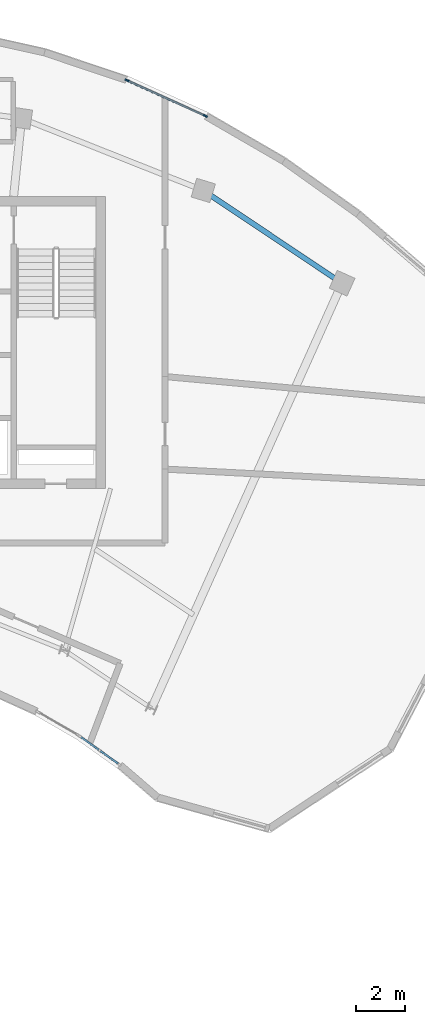
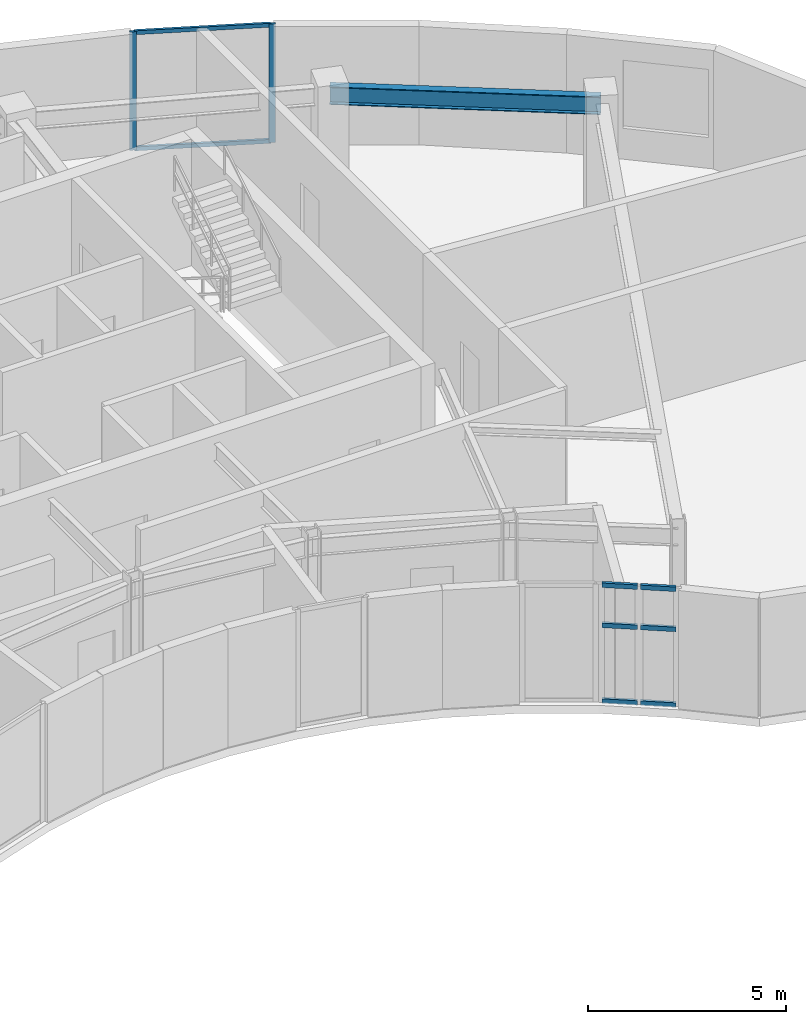
# One storey, part 5 of 12: 10 members, 1 beam, 2 elements without a shape of their own.
"""IFC4 building model written with IfcOpenShell, lengths in metres."""

import ifcopenshell
import ifcopenshell.guid

model = None  # the IFC model being written
_history = None  # IfcOwnerHistory: only IFC2X3 demands one
_inside = {}  # id of a spatial element -> (the spatial element, [elements in it])
_under = {}  # id of a project, library or spatial element -> (it, [spatial elements below it])
_declared = {}  # id of a project -> (the project, [libraries it declares])
_typed = {}  # id of a type object -> (the type object, [elements of that type])
_made_of = {}  # id of a material, layer set ... -> (it, [elements and type objects made of it])


def new_model(schema):
    """Start an empty IFC model of exactly this schema.

    Asked for "IFC4X3", IfcOpenShell would pick the latest addendum, in which some entities
    have other attributes; the version numbers below select the first issue.
    IFC2X3 requires an IfcOwnerHistory on every rooted entity: one is made here for all.
    """
    global model, _history
    if schema == "IFC4X3":
        model = ifcopenshell.file(schema_version=(4, 3, 0, 0))
    else:
        model = ifcopenshell.file(schema=schema)
    _inside.clear()
    _under.clear()
    _declared.clear()
    _typed.clear()
    _made_of.clear()
    _history = None
    if model.schema == "IFC2X3":
        org = make("IfcOrganization", Name="unknown")
        user = make(
            "IfcPersonAndOrganization",
            ThePerson=make("IfcPerson", FamilyName="unknown"),
            TheOrganization=org,
        )
        app = make(
            "IfcApplication",
            ApplicationDeveloper=org,
            Version="unknown",
            ApplicationFullName="unknown",
            ApplicationIdentifier="unknown",
        )
        _history = make(
            "IfcOwnerHistory",
            OwningUser=user,
            OwningApplication=app,
            ChangeAction="ADDED",
            CreationDate=0,
        )
    return model


def make(cls, **values):
    """One entity of the class cls with the attributes given. An attribute that is None is left unset."""
    return model.create_entity(
        cls, **{name: value for name, value in values.items() if value is not None}
    )


def rooted(cls, **values):
    """An entity with a GlobalId (a new one), such as an element, a storey or a relation."""
    return make(cls, GlobalId=ifcopenshell.guid.new(), OwnerHistory=_history, **values)


def si_unit(unit_type, name, prefix=None):
    """IfcSIUnit, for example si_unit("LENGTHUNIT", "METRE", prefix="MILLI")."""
    return make("IfcSIUnit", UnitType=unit_type, Prefix=prefix, Name=name)


def assignment(units):
    """IfcUnitAssignment: the units of a project."""
    return None if units is None else make("IfcUnitAssignment", Units=units)


def point(xyz):
    """IfcCartesianPoint."""
    return None if xyz is None else make("IfcCartesianPoint", Coordinates=xyz)


def direction(xyz):
    """IfcDirection."""
    return None if xyz is None else make("IfcDirection", DirectionRatios=xyz)


def frame(location, z_axis=None, x_axis=None):
    """IfcAxis2Placement3D, a coordinate frame: its origin and axes. An axis left out is left unset."""
    return make(
        "IfcAxis2Placement3D",
        Location=point(location),
        Axis=direction(z_axis),
        RefDirection=direction(x_axis),
    )


def frame_2d(location, x_axis=None):
    """IfcAxis2Placement2D, a coordinate frame in the plane: its origin and x axis."""
    return make(
        "IfcAxis2Placement2D", Location=point(location), RefDirection=direction(x_axis)
    )


def origin():
    """The frame at (0, 0, 0) with its axes left unset."""
    return frame((0.0, 0.0, 0.0))


def origin_2d():
    """The frame at (0, 0) in the plane with its x axis left unset."""
    return frame_2d((0.0, 0.0))


def place(relative_to, where):
    """IfcLocalPlacement: puts the frame where relative to a parent placement (None: the world)."""
    return make(
        "IfcLocalPlacement", PlacementRelTo=relative_to, RelativePlacement=where
    )


def context(
    kind, dimensions, precision=None, world=None, true_north=None, identifier=None
):
    """IfcGeometricRepresentationContext, for example the 3D "Model" context."""
    return make(
        "IfcGeometricRepresentationContext",
        ContextIdentifier=identifier,
        ContextType=kind,
        CoordinateSpaceDimension=dimensions,
        Precision=precision,
        WorldCoordinateSystem=world,
        TrueNorth=true_north,
    )


def subcontext(parent, identifier, kind, view, scale=None):
    """IfcGeometricRepresentationSubContext, for example "Body" below "Model"."""
    return make(
        "IfcGeometricRepresentationSubContext",
        ContextIdentifier=identifier,
        ContextType=kind,
        ParentContext=parent,
        TargetScale=scale,
        TargetView=view,
    )


def project(units=None, contexts=None):
    """IfcProject with its units and contexts."""
    return rooted(
        "IfcProject",
        Name="project",
        RepresentationContexts=contexts,
        UnitsInContext=assignment(units),
    )


def spatial(cls, under=None, at=None, **own):
    """A site, building, storey or space (cls), placed at a placement, below another one or the project."""
    s = rooted(cls, ObjectPlacement=at, **own)
    if under is not None:
        _under.setdefault(under.id(), (under, []))[1].append(s)
    return s


def profile(cls, at=None, kind="AREA", **sizes):
    """A parametric profile (cls). Its sizes go by their IFC names, for example OverallWidth=200.0."""
    return make(cls, ProfileType=kind, Position=at, **sizes)


def rectangle(**sizes):
    """IfcRectangleProfileDef."""
    return profile("IfcRectangleProfileDef", **sizes)


def i_section(**sizes):
    """IfcIShapeProfileDef."""
    return profile("IfcIShapeProfileDef", **sizes)


def extrude(swept, where, along, depth):
    """IfcExtrudedAreaSolid: the profile swept, set in the frame where, extruded along a direction by depth."""
    return make(
        "IfcExtrudedAreaSolid",
        SweptArea=swept,
        Position=where,
        ExtrudedDirection=direction(along),
        Depth=depth,
    )


def shape(context_of_items, identifier, shape_type, items):
    """IfcShapeRepresentation: the items that make up one representation, for example the "Body"."""
    return make(
        "IfcShapeRepresentation",
        ContextOfItems=context_of_items,
        RepresentationIdentifier=identifier,
        RepresentationType=shape_type,
        Items=items,
    )


def source(mapping_origin, context_of_items, identifier, shape_type, items):
    """IfcRepresentationMap: a shape defined once, which mapped items show again and again."""
    return make(
        "IfcRepresentationMap",
        MappingOrigin=mapping_origin,
        MappedRepresentation=shape(context_of_items, identifier, shape_type, items),
    )


def transform(
    local_origin,
    x_axis=None,
    y_axis=None,
    z_axis=None,
    scale=None,
    scale2=None,
    scale3=None,
    uniform=True,
):
    """IfcCartesianTransformationOperator3D, or its non-uniform kind. x_axis, y_axis, z_axis: its Axis1, 2, 3."""
    if uniform:
        return make(
            "IfcCartesianTransformationOperator3D",
            Axis1=direction(x_axis),
            Axis2=direction(y_axis),
            LocalOrigin=point(local_origin),
            Scale=scale,
            Axis3=direction(z_axis),
        )
    return make(
        "IfcCartesianTransformationOperator3DnonUniform",
        Axis1=direction(x_axis),
        Axis2=direction(y_axis),
        LocalOrigin=point(local_origin),
        Scale=scale,
        Axis3=direction(z_axis),
        Scale2=scale2,
        Scale3=scale3,
    )


def mapped(mapping_source, mapping_target):
    """IfcMappedItem: shows the shape of a source again, moved by a transform."""
    return make(
        "IfcMappedItem", MappingSource=mapping_source, MappingTarget=mapping_target
    )


def material(Name=None, Category=None):
    """IfcMaterial."""
    return make("IfcMaterial", Name=Name, Category=Category)


def layer(
    of_material, thickness, ventilated=None, Name=None, Category=None, Priority=None
):
    """IfcMaterialLayer: one layer of a wall or slab, of a material (None: an air gap)."""
    return make(
        "IfcMaterialLayer",
        Material=of_material,
        LayerThickness=thickness,
        IsVentilated=ventilated,
        Name=Name,
        Category=Category,
        Priority=Priority,
    )


def layer_set(layers, Name=None):
    """IfcMaterialLayerSet."""
    return make("IfcMaterialLayerSet", MaterialLayers=layers, LayerSetName=Name)


def material_profile(
    of_material, cross_section, Name=None, Category=None, Priority=None
):
    """IfcMaterialProfile: a cross section and its material."""
    return make(
        "IfcMaterialProfile",
        Name=Name,
        Material=of_material,
        Profile=cross_section,
        Priority=Priority,
        Category=Category,
    )


def profile_set(profiles, Name=None, composite=None):
    """IfcMaterialProfileSet."""
    return make(
        "IfcMaterialProfileSet",
        Name=Name,
        MaterialProfiles=profiles,
        CompositeProfile=composite,
    )


def made_of(thing, what):
    """Note that an element or type object is made of a material, layer set ...; save() writes the relation."""
    if what is not None:
        _made_of.setdefault(what.id(), (what, []))[1].append(thing)
    return thing


def type_object(cls, material=None, **own):
    """A type object (cls), such as IfcWallType, which elements share."""
    return made_of(rooted(cls, **own), material)


def element(
    cls,
    number,
    at=None,
    inside=None,
    cuts=None,
    type_object=None,
    material=None,
    context=None,
    identifier="Body",
    shape_type=None,
    held_by="IfcProductDefinitionShape",
    body=None,
    shapes=None,
    **own,
):
    """One element of the class cls, such as IfcWall. Its Tag is "e" and its number.

    at: its placement. inside: the storey or other place that contains it. cuts: it is an
    opening in that element (IfcRelVoidsElement). A single representation is given by context,
    identifier, shape_type and body (its items); several are given by shapes. held_by: the class
    of the entity that holds the representations. save() writes the other relations.
    """
    e = rooted(cls, Tag="e%d" % number, ObjectPlacement=at, **own)
    if body is not None:
        shapes = [shape(context, identifier, shape_type, body)]
    if shapes is not None:
        e.Representation = make(held_by, Representations=shapes)
    if inside is not None:
        _inside.setdefault(inside.id(), (inside, []))[1].append(e)
    if cuts is not None:
        rooted(
            "IfcRelVoidsElement", RelatingBuildingElement=cuts, RelatedOpeningElement=e
        )
    if type_object is not None:
        _typed.setdefault(type_object.id(), (type_object, []))[1].append(e)
    return made_of(e, material)


def aggregate(whole, parts):
    """IfcRelAggregates: a whole, such as a stair, and the parts it consists of."""
    return rooted("IfcRelAggregates", RelatingObject=whole, RelatedObjects=parts)


def save(model, path):
    """Write the relations noted so far, then the file.

    IfcRelAggregates (storeys below a building ...), IfcRelContainedInSpatialStructure (elements
    in a storey), IfcRelDefinesByType, IfcRelAssociatesMaterial and IfcRelDeclares: one each for
    every whole, place, type object, material and project.
    """
    for whole, parts in _under.values():
        aggregate(whole, parts)
    for where, things in _inside.values():
        rooted(
            "IfcRelContainedInSpatialStructure",
            RelatedElements=things,
            RelatingStructure=where,
        )
    for kind, things in _typed.values():
        rooted("IfcRelDefinesByType", RelatedObjects=things, RelatingType=kind)
    for what, things in _made_of.values():
        rooted("IfcRelAssociatesMaterial", RelatedObjects=things, RelatingMaterial=what)
    for by, libraries in _declared.values():
        rooted("IfcRelDeclares", RelatingContext=by, RelatedDefinitions=libraries)
    model.write(path)


model = new_model("IFC4")

# Units and contexts
model_context = context("Model", 3, precision=1e-05, world=origin(), true_north=direction((0.0, 1.0)))
body_context = subcontext(model_context, "Body", "Model", "MODEL_VIEW")
ifc_project = project(units=[si_unit("LENGTHUNIT", "METRE"), si_unit("AREAUNIT", "SQUARE_METRE"), si_unit("VOLUMEUNIT", "CUBIC_METRE"), si_unit("PLANEANGLEUNIT", "RADIAN"), si_unit("MASSUNIT", "GRAM", prefix="KILO")], contexts=[model_context])

# Site, building, storey
site_placement = place(None, origin())
site = spatial("IfcSite", under=ifc_project, at=site_placement, CompositionType="ELEMENT")
building_placement = place(site_placement, origin())
building = spatial("IfcBuilding", under=site, at=building_placement, Name="Breltana Convention Tower", CompositionType="ELEMENT")
storey_placement = place(building_placement, frame((0.0, 0.0, 267.89990234375)))
storey = spatial("IfcBuildingStorey", under=building, at=storey_placement, Name="L65", CompositionType="ELEMENT", Elevation=267.89990234375)

# Beam
ifc_material_1 = material(Name="Steel ASTM A992 Grade 50", Category="steel")
ifc_material_profile_1 = material_profile(ifc_material_1, i_section(OverallWidth=0.214111328125, OverallDepth=0.549072265625, WebThickness=0.0146484375, FlangeThickness=0.023681640625, at=origin_2d()), Name="W21X93")
ifc_profile_set_1 = profile_set([ifc_material_profile_1], Name="Steel ASTM A992 Grade 50")
beam_type = type_object("IfcBeamType", Name="BM-SP-W21X93", PredefinedType="SPANDREL", material=ifc_profile_set_1)
shared_shape_1 = source(origin(), body_context, "Body", "SweptSolid", [
    extrude(i_section(OverallWidth=0.214111328125, OverallDepth=0.549072265625, WebThickness=0.0146484375, FlangeThickness=0.023681640625, at=origin_2d()), origin(), (0.0, 0.0, 1.0), 6.856689453125),
])
beam_placement = place(storey_placement, frame((63.208984375, 72.4423828125, 3.37548828125), z_axis=(0.83150210718, -0.55552159792, 0.0), x_axis=(0.55552159792, 0.83150210718, 0.0)))
element("IfcBeam", 1, at=beam_placement, inside=storey, type_object=beam_type, Name="L65 Outer Spandrel Beam 08", PredefinedType="SPANDREL", context=body_context, shape_type="MappedRepresentation", body=[
    mapped(shared_shape_1, transform((0.0, 0.0, 0.0), scale=1.0)),
])

# Curtain wall, members
ifc_material_2 = material(Name="Aluminium Anodised Bronze Frame", Category="aluminium")
ifc_layer_1 = layer(ifc_material_2, 0.22998046875, Name="Aluminium Anodised Bronze Frame")
ifc_layer_set_1 = layer_set([ifc_layer_1], Name="Aluminium Anodised Bronze Frame")
curtain_wall_type_1 = type_object("IfcCurtainWallType", Name="CW-SYS-5", PredefinedType="NOTDEFINED", material=ifc_layer_set_1)
curtain_wall_1_placement = place(storey_placement, origin())
curtain_wall_1 = element("IfcCurtainWall", 2, at=curtain_wall_1_placement, inside=storey, type_object=curtain_wall_type_1, Name="L65 outer double-skin inner glazing 4", PredefinedType="NOTDEFINED")
ifc_material_3 = material(Name="Aluminium Anodised Bronze", Category="aluminium")
ifc_material_profile_2 = material_profile(ifc_material_3, rectangle(XDim=0.070068359375, YDim=0.175048828125, at=origin_2d()), Name="CWM-70X175")
ifc_profile_set_2 = profile_set([ifc_material_profile_2], Name="Aluminium Anodised Bronze")
member_type_1 = type_object("IfcMemberType", Name="CWM-175", PredefinedType="MULLION", material=ifc_profile_set_2)
shared_shape_2 = source(origin(), body_context, "Body", "SweptSolid", [
    extrude(rectangle(XDim=0.070068359375, YDim=0.175048828125, at=origin_2d()), origin(), (0.0, 0.0, 1.0), 3.650146484375),
])
member_1_placement = place(storey_placement, frame((60.078125, 76.96484375, 0.0), z_axis=(0.0, 0.0, 1.0), x_axis=(0.413537325324, 0.910487166611, 0.0)))
member_1 = element("IfcMember", 3, at=member_1_placement, type_object=member_type_1, Name="CW-05 mullion 1", PredefinedType="MULLION", context=body_context, shape_type="MappedRepresentation", body=[
    mapped(shared_shape_2, transform((0.0, 0.0, 0.0), scale=1.0)),
])
member_2_placement = place(storey_placement, frame((63.29443359375, 75.504150390625, 0.0), z_axis=(0.0, 0.0, 1.0), x_axis=(0.413537325324, 0.910487166611, 0.0)))
member_2 = element("IfcMember", 4, at=member_2_placement, type_object=member_type_1, Name="CW-05 mullion 2", PredefinedType="MULLION", context=body_context, shape_type="MappedRepresentation", body=[
    mapped(shared_shape_2, transform((0.0, 0.0, 0.0), scale=1.0)),
])

ifc_layer_2 = layer(ifc_material_2, 0.18994140625, Name="Aluminium Anodised Bronze Frame")
ifc_layer_set_2 = layer_set([ifc_layer_2], Name="Aluminium Anodised Bronze Frame")
curtain_wall_type_2 = type_object("IfcCurtainWallType", Name="CW-SYS-1", PredefinedType="NOTDEFINED", material=ifc_layer_set_2)
curtain_wall_2_placement = place(storey_placement, origin())
curtain_wall_2 = element("IfcCurtainWall", 5, at=curtain_wall_2_placement, inside=storey, type_object=curtain_wall_type_2, Name="L65 inner south-court glazing 1", PredefinedType="NOTDEFINED")
ifc_material_profile_3 = material_profile(ifc_material_3, rectangle(XDim=0.080078125, YDim=0.139892578125, at=origin_2d()), Name="CWT-80X140")
ifc_profile_set_3 = profile_set([ifc_material_profile_3], Name="Aluminium Anodised Bronze")
member_type_2 = type_object("IfcMemberType", Name="CWT-140", PredefinedType="USERDEFINED", material=ifc_profile_set_3)
shared_shape_3 = source(origin(), body_context, "Body", "SweptSolid", [
    extrude(rectangle(XDim=0.080078125, YDim=0.139892578125, at=origin_2d()), origin(), (0.0, 0.0, 1.0), 0.896240234375),
])
member_3_placement = place(storey_placement, frame((59.71142578125, 48.90478515625, 0.0400390625), z_axis=(-0.814027888209, 0.580825789043, 0.0), x_axis=(-0.580825789043, -0.814027888209, 0.0)))
member_3 = element("IfcMember", 6, at=member_3_placement, type_object=member_type_2, Name="CW-01 transom 1.1", ObjectType="TRANSOM", PredefinedType="USERDEFINED", context=body_context, shape_type="MappedRepresentation", body=[
    mapped(shared_shape_3, transform((0.0, 0.0, 0.0), scale=1.0)),
])
member_4_placement = place(storey_placement, frame((59.71142578125, 48.90478515625, 2.37255859375), z_axis=(-0.814027888209, 0.580825789043, 0.0), x_axis=(-0.580825789043, -0.814027888209, 0.0)))
member_4 = element("IfcMember", 7, at=member_4_placement, type_object=member_type_2, Name="CW-01 transom 1.2", ObjectType="TRANSOM", PredefinedType="USERDEFINED", context=body_context, shape_type="MappedRepresentation", body=[
    mapped(shared_shape_3, transform((0.0, 0.0, 0.0), scale=1.0)),
])
member_5_placement = place(storey_placement, frame((59.71142578125, 48.90478515625, 3.610107421875), z_axis=(-0.814027888209, 0.580825789043, 0.0), x_axis=(-0.580825789043, -0.814027888209, 0.0)))
member_5 = element("IfcMember", 8, at=member_5_placement, type_object=member_type_2, Name="CW-01 transom 1.3", ObjectType="TRANSOM", PredefinedType="USERDEFINED", context=body_context, shape_type="MappedRepresentation", body=[
    mapped(shared_shape_3, transform((0.0, 0.0, 0.0), scale=1.0)),
])
member_6_placement = place(storey_placement, frame((58.916748046875, 49.4716796875, 0.0400390625), z_axis=(-0.814248531109, 0.58051643352, 0.0), x_axis=(-0.58051643352, -0.814248531109, 0.0)))
member_6 = element("IfcMember", 9, at=member_6_placement, type_object=member_type_2, Name="CW-01 transom 2.1", ObjectType="TRANSOM", PredefinedType="USERDEFINED", context=body_context, shape_type="MappedRepresentation", body=[
    mapped(shared_shape_3, transform((0.0, 0.0, 0.0), scale=1.0)),
])
member_7_placement = place(storey_placement, frame((58.916748046875, 49.4716796875, 2.37255859375), z_axis=(-0.814248531109, 0.58051643352, 0.0), x_axis=(-0.58051643352, -0.814248531109, 0.0)))
member_7 = element("IfcMember", 10, at=member_7_placement, type_object=member_type_2, Name="CW-01 transom 2.2", ObjectType="TRANSOM", PredefinedType="USERDEFINED", context=body_context, shape_type="MappedRepresentation", body=[
    mapped(shared_shape_3, transform((0.0, 0.0, 0.0), scale=1.0)),
])
member_8_placement = place(storey_placement, frame((58.916748046875, 49.4716796875, 3.610107421875), z_axis=(-0.814248531109, 0.58051643352, 0.0), x_axis=(-0.58051643352, -0.814248531109, 0.0)))
member_8 = element("IfcMember", 11, at=member_8_placement, type_object=member_type_2, Name="CW-01 transom 2.3", ObjectType="TRANSOM", PredefinedType="USERDEFINED", context=body_context, shape_type="MappedRepresentation", body=[
    mapped(shared_shape_3, transform((0.0, 0.0, 0.0), scale=1.0)),
])
aggregate(curtain_wall_2, [member_3, member_4, member_5, member_6, member_7, member_8])

# Member
ifc_material_profile_4 = material_profile(ifc_material_3, rectangle(XDim=0.070068359375, YDim=0.1201171875, at=origin_2d()), Name="CWT-70X120")
ifc_profile_set_4 = profile_set([ifc_material_profile_4], Name="Aluminium Anodised Bronze")
member_type_3 = type_object("IfcMemberType", Name="CWT-120", PredefinedType="USERDEFINED", material=ifc_profile_set_4)
shared_shape_4 = source(origin(), body_context, "Body", "SweptSolid", [
    extrude(rectangle(XDim=0.070068359375, YDim=0.1201171875, at=origin_2d()), origin(), (0.0, 0.0, 1.0), 3.462646484375),
])
member_9_placement = place(storey_placement, frame((60.110107421875, 76.950439453125, 0.03515625), z_axis=(0.910487173893, -0.413537309292, 0.0), x_axis=(0.413537309292, 0.910487173893, 0.0)))
member_9 = element("IfcMember", 12, at=member_9_placement, type_object=member_type_3, Name="CW-05 transom 1.1", ObjectType="TRANSOM", PredefinedType="USERDEFINED", context=body_context, shape_type="MappedRepresentation", body=[
    mapped(shared_shape_4, transform((0.0, 0.0, 0.0), scale=1.0)),
])

member_10_placement = place(storey_placement, frame((60.110107421875, 76.950439453125, 3.614990234375), z_axis=(0.910487173893, -0.413537309292, 0.0), x_axis=(0.413537309292, 0.910487173893, 0.0)))
member_10 = element("IfcMember", 13, at=member_10_placement, type_object=member_type_3, Name="CW-05 transom 1.2", ObjectType="TRANSOM", PredefinedType="USERDEFINED", context=body_context, shape_type="MappedRepresentation", body=[
    mapped(shared_shape_4, transform((0.0, 0.0, 0.0), scale=1.0)),
])

aggregate(curtain_wall_1, [member_1, member_2, member_9, member_10])

save(model, "model.ifc")
